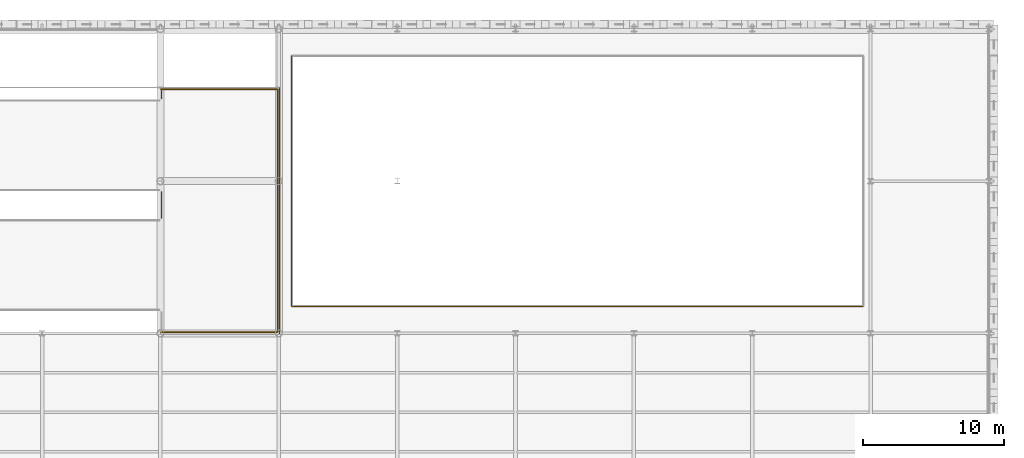
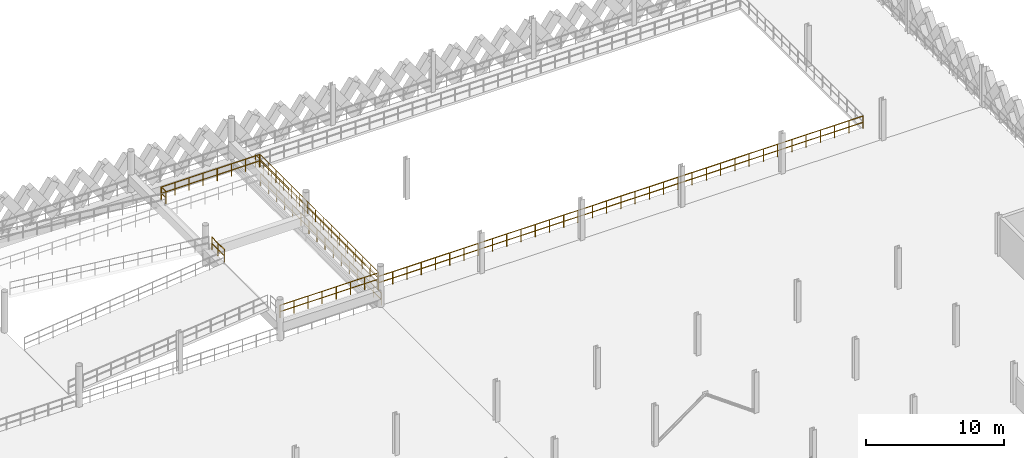
# One storey, part 70 of 74: 8 railings.
"""IFC4 building model written with IfcOpenShell, lengths in metres."""

from ifc_helpers import new_model, si_unit, direction, frame, origin, origin_2d, place, context, subcontext, project, spatial, circle, extrude, material, type_object, element, save


model = new_model("IFC4")

# Units and contexts
model_context = context("Model", 3, precision=1e-05, world=origin(), true_north=direction((0.0, 1.0)))
body_context = subcontext(model_context, "Body", "Model", "MODEL_VIEW")
ifc_project = project(units=[si_unit("LENGTHUNIT", "METRE"), si_unit("AREAUNIT", "SQUARE_METRE"), si_unit("VOLUMEUNIT", "CUBIC_METRE"), si_unit("PLANEANGLEUNIT", "RADIAN"), si_unit("MASSUNIT", "GRAM", prefix="KILO"), si_unit("THERMODYNAMICTEMPERATUREUNIT", "KELVIN"), si_unit("POWERUNIT", "WATT")], contexts=[model_context])

# Site, building, storey
site_placement = place(None, origin())
site = spatial("IfcSite", under=ifc_project, at=site_placement, CompositionType="ELEMENT")
building_placement = place(site_placement, origin())
building = spatial("IfcBuilding", under=site, at=building_placement, Name="Tembeka Court Mobility Hub", CompositionType="ELEMENT")
storey_placement = place(building_placement, frame((0.0, 0.0, 12.60009765625)))
storey = spatial("IfcBuildingStorey", under=building, at=storey_placement, Name="L03", CompositionType="ELEMENT", Elevation=12.60009765625)

# Railings
ifc_material = material(Name="Painted galvanised steel balustrade", Category="steel")
railing_type_1 = type_object("IfcRailingType", Name="RL-GR01", PredefinedType="GUARDRAIL", material=ifc_material)
railing_1_placement = place(storey_placement, frame((42.929931640625, 99.10009765625, 0.0)))
element("IfcRailing", 1, at=railing_1_placement, inside=storey, type_object=railing_type_1, Name="Perimeter guard GR01-0115", PredefinedType="GUARDRAIL", context=body_context, shape_type="SweptSolid", body=[
    extrude(circle(Radius=0.02392578125, at=origin_2d()), frame((0.0, 0.0, 1.09619140625), z_axis=(1.0, 0.0, 0.0), x_axis=(0.0, 1.0, 0.0)), (0.0, 0.0, 1.0), 40.5400390625),
    extrude(circle(Radius=0.02392578125, at=origin_2d()), frame((0.0, 0.0, 0.5361328125), z_axis=(1.0, 0.0, 0.0), x_axis=(0.0, 1.0, 0.0)), (0.0, 0.0, 1.0), 40.5400390625),
    extrude(circle(Radius=0.02099609375, at=origin_2d()), origin(), (0.0, 0.0, 1.0), 1.072021484375),
    extrude(circle(Radius=0.02099609375, at=origin_2d()), frame((1.1923828125, 0.0, 0.0)), (0.0, 0.0, 1.0), 1.072021484375),
    extrude(circle(Radius=0.02099609375, at=origin_2d()), frame((2.384765625, 0.0, 0.0)), (0.0, 0.0, 1.0), 1.072021484375),
    extrude(circle(Radius=0.02099609375, at=origin_2d()), frame((3.5771484375, 0.0, 0.0)), (0.0, 0.0, 1.0), 1.072021484375),
    extrude(circle(Radius=0.02099609375, at=origin_2d()), frame((4.76953125, 0.0, 0.0)), (0.0, 0.0, 1.0), 1.072021484375),
    extrude(circle(Radius=0.02099609375, at=origin_2d()), frame((5.961669921875, 0.0, 0.0)), (0.0, 0.0, 1.0), 1.072021484375),
    extrude(circle(Radius=0.02099609375, at=origin_2d()), frame((7.154052734375, 0.0, 0.0)), (0.0, 0.0, 1.0), 1.072021484375),
    extrude(circle(Radius=0.02099609375, at=origin_2d()), frame((8.346435546875, 0.0, 0.0)), (0.0, 0.0, 1.0), 1.072021484375),
    extrude(circle(Radius=0.02099609375, at=origin_2d()), frame((9.538818359375, 0.0, 0.0)), (0.0, 0.0, 1.0), 1.072021484375),
    extrude(circle(Radius=0.02099609375, at=origin_2d()), frame((10.731201171875, 0.0, 0.0)), (0.0, 0.0, 1.0), 1.072021484375),
    extrude(circle(Radius=0.02099609375, at=origin_2d()), frame((11.923583984375, 0.0, 0.0)), (0.0, 0.0, 1.0), 1.072021484375),
    extrude(circle(Radius=0.02099609375, at=origin_2d()), frame((13.115966796875, 0.0, 0.0)), (0.0, 0.0, 1.0), 1.072021484375),
    extrude(circle(Radius=0.02099609375, at=origin_2d()), frame((14.308349609375, 0.0, 0.0)), (0.0, 0.0, 1.0), 1.072021484375),
    extrude(circle(Radius=0.02099609375, at=origin_2d()), frame((15.50048828125, 0.0, 0.0)), (0.0, 0.0, 1.0), 1.072021484375),
    extrude(circle(Radius=0.02099609375, at=origin_2d()), frame((16.69287109375, 0.0, 0.0)), (0.0, 0.0, 1.0), 1.072021484375),
    extrude(circle(Radius=0.02099609375, at=origin_2d()), frame((17.88525390625, 0.0, 0.0)), (0.0, 0.0, 1.0), 1.072021484375),
    extrude(circle(Radius=0.02099609375, at=origin_2d()), frame((19.07763671875, 0.0, 0.0)), (0.0, 0.0, 1.0), 1.072021484375),
    extrude(circle(Radius=0.02099609375, at=origin_2d()), frame((20.27001953125, 0.0, 0.0)), (0.0, 0.0, 1.0), 1.072021484375),
    extrude(circle(Radius=0.02099609375, at=origin_2d()), frame((21.46240234375, 0.0, 0.0)), (0.0, 0.0, 1.0), 1.072021484375),
    extrude(circle(Radius=0.02099609375, at=origin_2d()), frame((22.65478515625, 0.0, 0.0)), (0.0, 0.0, 1.0), 1.072021484375),
    extrude(circle(Radius=0.02099609375, at=origin_2d()), frame((23.84716796875, 0.0, 0.0)), (0.0, 0.0, 1.0), 1.072021484375),
    extrude(circle(Radius=0.02099609375, at=origin_2d()), frame((25.03955078125, 0.0, 0.0)), (0.0, 0.0, 1.0), 1.072021484375),
    extrude(circle(Radius=0.02099609375, at=origin_2d()), frame((26.231689453125, 0.0, 0.0)), (0.0, 0.0, 1.0), 1.072021484375),
    extrude(circle(Radius=0.02099609375, at=origin_2d()), frame((27.424072265625, 0.0, 0.0)), (0.0, 0.0, 1.0), 1.072021484375),
    extrude(circle(Radius=0.02099609375, at=origin_2d()), frame((28.616455078125, 0.0, 0.0)), (0.0, 0.0, 1.0), 1.072021484375),
    extrude(circle(Radius=0.02099609375, at=origin_2d()), frame((29.808837890625, 0.0, 0.0)), (0.0, 0.0, 1.0), 1.072021484375),
    extrude(circle(Radius=0.02099609375, at=origin_2d()), frame((31.001220703125, 0.0, 0.0)), (0.0, 0.0, 1.0), 1.072021484375),
    extrude(circle(Radius=0.02099609375, at=origin_2d()), frame((32.193603515625, 0.0, 0.0)), (0.0, 0.0, 1.0), 1.072021484375),
    extrude(circle(Radius=0.02099609375, at=origin_2d()), frame((33.385986328125, 0.0, 0.0)), (0.0, 0.0, 1.0), 1.072021484375),
    extrude(circle(Radius=0.02099609375, at=origin_2d()), frame((34.578369140625, 0.0, 0.0)), (0.0, 0.0, 1.0), 1.072021484375),
    extrude(circle(Radius=0.02099609375, at=origin_2d()), frame((35.7705078125, 0.0, 0.0)), (0.0, 0.0, 1.0), 1.072021484375),
    extrude(circle(Radius=0.02099609375, at=origin_2d()), frame((36.962890625, 0.0, 0.0)), (0.0, 0.0, 1.0), 1.072021484375),
    extrude(circle(Radius=0.02099609375, at=origin_2d()), frame((38.1552734375, 0.0, 0.0)), (0.0, 0.0, 1.0), 1.072021484375),
    extrude(circle(Radius=0.02099609375, at=origin_2d()), frame((39.34765625, 0.0, 0.0)), (0.0, 0.0, 1.0), 1.072021484375),
    extrude(circle(Radius=0.02099609375, at=origin_2d()), frame((40.5400390625, 0.0, 0.0)), (0.0, 0.0, 1.0), 1.072021484375),
])
railing_2_placement = place(storey_placement, frame((42.89990234375, 116.8701171875, 0.0)))
element("IfcRailing", 2, at=railing_2_placement, inside=storey, type_object=railing_type_1, Name="Perimeter guard GR01-0118", PredefinedType="GUARDRAIL", context=body_context, shape_type="SweptSolid", body=[
    extrude(circle(Radius=0.02392578125, at=origin_2d()), frame((0.0, 0.0, 1.09619140625), z_axis=(0.0, -1.0, 0.0), x_axis=(1.0, 0.0, 0.0)), (0.0, 0.0, 1.0), 17.740234375),
    extrude(circle(Radius=0.02392578125, at=origin_2d()), frame((0.0, 0.0, 0.5361328125), z_axis=(0.0, -1.0, 0.0), x_axis=(1.0, 0.0, 0.0)), (0.0, 0.0, 1.0), 17.740234375),
    extrude(circle(Radius=0.02099609375, at=origin_2d()), origin(), (0.0, 0.0, 1.0), 1.072021484375),
    extrude(circle(Radius=0.02099609375, at=origin_2d()), frame((0.0, -1.1826171875, 0.0)), (0.0, 0.0, 1.0), 1.072021484375),
    extrude(circle(Radius=0.02099609375, at=origin_2d()), frame((0.0, -2.365478515625, 0.0)), (0.0, 0.0, 1.0), 1.072021484375),
    extrude(circle(Radius=0.02099609375, at=origin_2d()), frame((0.0, -3.548095703125, 0.0)), (0.0, 0.0, 1.0), 1.072021484375),
    extrude(circle(Radius=0.02099609375, at=origin_2d()), frame((0.0, -4.730712890625, 0.0)), (0.0, 0.0, 1.0), 1.072021484375),
    extrude(circle(Radius=0.02099609375, at=origin_2d()), frame((0.0, -5.913330078125, 0.0)), (0.0, 0.0, 1.0), 1.072021484375),
    extrude(circle(Radius=0.02099609375, at=origin_2d()), frame((0.0, -7.09619140625, 0.0)), (0.0, 0.0, 1.0), 1.072021484375),
    extrude(circle(Radius=0.02099609375, at=origin_2d()), frame((0.0, -8.27880859375, 0.0)), (0.0, 0.0, 1.0), 1.072021484375),
    extrude(circle(Radius=0.02099609375, at=origin_2d()), frame((0.0, -9.46142578125, 0.0)), (0.0, 0.0, 1.0), 1.072021484375),
    extrude(circle(Radius=0.02099609375, at=origin_2d()), frame((0.0, -10.64404296875, 0.0)), (0.0, 0.0, 1.0), 1.072021484375),
    extrude(circle(Radius=0.02099609375, at=origin_2d()), frame((0.0, -11.826904296875, 0.0)), (0.0, 0.0, 1.0), 1.072021484375),
    extrude(circle(Radius=0.02099609375, at=origin_2d()), frame((0.0, -13.009521484375, 0.0)), (0.0, 0.0, 1.0), 1.072021484375),
    extrude(circle(Radius=0.02099609375, at=origin_2d()), frame((0.0, -14.192138671875, 0.0)), (0.0, 0.0, 1.0), 1.072021484375),
    extrude(circle(Radius=0.02099609375, at=origin_2d()), frame((0.0, -15.374755859375, 0.0)), (0.0, 0.0, 1.0), 1.072021484375),
    extrude(circle(Radius=0.02099609375, at=origin_2d()), frame((0.0, -16.5576171875, 0.0)), (0.0, 0.0, 1.0), 1.072021484375),
    extrude(circle(Radius=0.02099609375, at=origin_2d()), frame((0.0, -17.740234375, 0.0)), (0.0, 0.0, 1.0), 1.072021484375),
])
railing_type_2 = type_object("IfcRailingType", Name="RL-GR02", PredefinedType="GUARDRAIL", material=ifc_material)
railing_3_placement = place(storey_placement, frame((42.050048828125, 97.179931640625, 0.0)))
element("IfcRailing", 3, at=railing_3_placement, inside=storey, type_object=railing_type_2, Name="Perimeter guard GR02-0195", PredefinedType="GUARDRAIL", context=body_context, shape_type="SweptSolid", body=[
    extrude(circle(Radius=0.02392578125, at=origin_2d()), frame((0.0, 0.0, 1.09619140625), z_axis=(0.0, 1.0, 0.0), x_axis=(-1.0, 0.0, 0.0)), (0.0, 0.0, 1.0), 17.440185546875),
    extrude(circle(Radius=0.02392578125, at=origin_2d()), frame((0.0, 0.0, 0.5361328125), z_axis=(0.0, 1.0, 0.0), x_axis=(-1.0, 0.0, 0.0)), (0.0, 0.0, 1.0), 17.440185546875),
    extrude(circle(Radius=0.02099609375, at=origin_2d()), origin(), (0.0, 0.0, 1.0), 1.072021484375),
    extrude(circle(Radius=0.02099609375, at=origin_2d()), frame((0.0, 1.16259765625, 0.0)), (0.0, 0.0, 1.0), 1.072021484375),
    extrude(circle(Radius=0.02099609375, at=origin_2d()), frame((0.0, 2.325439453125, 0.0)), (0.0, 0.0, 1.0), 1.072021484375),
    extrude(circle(Radius=0.02099609375, at=origin_2d()), frame((0.0, 3.488037109375, 0.0)), (0.0, 0.0, 1.0), 1.072021484375),
    extrude(circle(Radius=0.02099609375, at=origin_2d()), frame((0.0, 4.650634765625, 0.0)), (0.0, 0.0, 1.0), 1.072021484375),
    extrude(circle(Radius=0.02099609375, at=origin_2d()), frame((0.0, 5.8134765625, 0.0)), (0.0, 0.0, 1.0), 1.072021484375),
    extrude(circle(Radius=0.02099609375, at=origin_2d()), frame((0.0, 6.97607421875, 0.0)), (0.0, 0.0, 1.0), 1.072021484375),
    extrude(circle(Radius=0.02099609375, at=origin_2d()), frame((0.0, 8.138671875, 0.0)), (0.0, 0.0, 1.0), 1.072021484375),
    extrude(circle(Radius=0.02099609375, at=origin_2d()), frame((0.0, 9.301513671875, 0.0)), (0.0, 0.0, 1.0), 1.072021484375),
    extrude(circle(Radius=0.02099609375, at=origin_2d()), frame((0.0, 10.464111328125, 0.0)), (0.0, 0.0, 1.0), 1.072021484375),
    extrude(circle(Radius=0.02099609375, at=origin_2d()), frame((0.0, 11.626708984375, 0.0)), (0.0, 0.0, 1.0), 1.072021484375),
    extrude(circle(Radius=0.02099609375, at=origin_2d()), frame((0.0, 12.78955078125, 0.0)), (0.0, 0.0, 1.0), 1.072021484375),
    extrude(circle(Radius=0.02099609375, at=origin_2d()), frame((0.0, 13.9521484375, 0.0)), (0.0, 0.0, 1.0), 1.072021484375),
    extrude(circle(Radius=0.02099609375, at=origin_2d()), frame((0.0, 15.11474609375, 0.0)), (0.0, 0.0, 1.0), 1.072021484375),
    extrude(circle(Radius=0.02099609375, at=origin_2d()), frame((0.0, 16.277587890625, 0.0)), (0.0, 0.0, 1.0), 1.072021484375),
    extrude(circle(Radius=0.02099609375, at=origin_2d()), frame((0.0, 17.440185546875, 0.0)), (0.0, 0.0, 1.0), 1.072021484375),
])
railing_4_placement = place(storey_placement, frame((33.6298828125, 97.280029296875, 1.7998046875)))
element("IfcRailing", 4, at=railing_4_placement, inside=storey, type_object=railing_type_2, Name="Perimeter guard GR02-0246", PredefinedType="GUARDRAIL", context=body_context, shape_type="SweptSolid", body=[
    extrude(circle(Radius=0.02392578125, at=origin_2d()), frame((0.0, 0.0, 1.09619140625), z_axis=(1.0, 0.0, 0.0), x_axis=(0.0, 1.0, 0.0)), (0.0, 0.0, 1.0), 8.260009765625),
    extrude(circle(Radius=0.02392578125, at=origin_2d()), frame((0.0, 0.0, 0.5361328125), z_axis=(1.0, 0.0, 0.0), x_axis=(0.0, 1.0, 0.0)), (0.0, 0.0, 1.0), 8.260009765625),
    extrude(circle(Radius=0.02099609375, at=origin_2d()), origin(), (0.0, 0.0, 1.0), 1.072021484375),
    extrude(circle(Radius=0.02099609375, at=origin_2d()), frame((1.179931640625, 0.0, 0.0)), (0.0, 0.0, 1.0), 1.072021484375),
    extrude(circle(Radius=0.02099609375, at=origin_2d()), frame((2.360107421875, 0.0, 0.0)), (0.0, 0.0, 1.0), 1.072021484375),
    extrude(circle(Radius=0.02099609375, at=origin_2d()), frame((3.5400390625, 0.0, 0.0)), (0.0, 0.0, 1.0), 1.072021484375),
    extrude(circle(Radius=0.02099609375, at=origin_2d()), frame((4.719970703125, 0.0, 0.0)), (0.0, 0.0, 1.0), 1.072021484375),
    extrude(circle(Radius=0.02099609375, at=origin_2d()), frame((5.89990234375, 0.0, 0.0)), (0.0, 0.0, 1.0), 1.072021484375),
    extrude(circle(Radius=0.02099609375, at=origin_2d()), frame((7.080078125, 0.0, 0.0)), (0.0, 0.0, 1.0), 1.072021484375),
    extrude(circle(Radius=0.02099609375, at=origin_2d()), frame((8.260009765625, 0.0, 0.0)), (0.0, 0.0, 1.0), 1.072021484375),
])
railing_5_placement = place(storey_placement, frame((41.919921875, 97.31005859375, 1.7998046875)))
element("IfcRailing", 5, at=railing_5_placement, inside=storey, type_object=railing_type_2, Name="Perimeter guard GR02-0247", PredefinedType="GUARDRAIL", context=body_context, shape_type="SweptSolid", body=[
    extrude(circle(Radius=0.02392578125, at=origin_2d()), frame((0.0, 0.0, 1.09619140625), z_axis=(0.0, 1.0, 0.0), x_axis=(-1.0, 0.0, 0.0)), (0.0, 0.0, 1.0), 17.179931640625),
    extrude(circle(Radius=0.02392578125, at=origin_2d()), frame((0.0, 0.0, 0.5361328125), z_axis=(0.0, 1.0, 0.0), x_axis=(-1.0, 0.0, 0.0)), (0.0, 0.0, 1.0), 17.179931640625),
    extrude(circle(Radius=0.02099609375, at=origin_2d()), origin(), (0.0, 0.0, 1.0), 1.072021484375),
    extrude(circle(Radius=0.02099609375, at=origin_2d()), frame((0.0, 1.145263671875, 0.0)), (0.0, 0.0, 1.0), 1.072021484375),
    extrude(circle(Radius=0.02099609375, at=origin_2d()), frame((0.0, 2.290771484375, 0.0)), (0.0, 0.0, 1.0), 1.072021484375),
    extrude(circle(Radius=0.02099609375, at=origin_2d()), frame((0.0, 3.43603515625, 0.0)), (0.0, 0.0, 1.0), 1.072021484375),
    extrude(circle(Radius=0.02099609375, at=origin_2d()), frame((0.0, 4.581298828125, 0.0)), (0.0, 0.0, 1.0), 1.072021484375),
    extrude(circle(Radius=0.02099609375, at=origin_2d()), frame((0.0, 5.7265625, 0.0)), (0.0, 0.0, 1.0), 1.072021484375),
    extrude(circle(Radius=0.02099609375, at=origin_2d()), frame((0.0, 6.8720703125, 0.0)), (0.0, 0.0, 1.0), 1.072021484375),
    extrude(circle(Radius=0.02099609375, at=origin_2d()), frame((0.0, 8.017333984375, 0.0)), (0.0, 0.0, 1.0), 1.072021484375),
    extrude(circle(Radius=0.02099609375, at=origin_2d()), frame((0.0, 9.16259765625, 0.0)), (0.0, 0.0, 1.0), 1.072021484375),
    extrude(circle(Radius=0.02099609375, at=origin_2d()), frame((0.0, 10.307861328125, 0.0)), (0.0, 0.0, 1.0), 1.072021484375),
    extrude(circle(Radius=0.02099609375, at=origin_2d()), frame((0.0, 11.453369140625, 0.0)), (0.0, 0.0, 1.0), 1.072021484375),
    extrude(circle(Radius=0.02099609375, at=origin_2d()), frame((0.0, 12.5986328125, 0.0)), (0.0, 0.0, 1.0), 1.072021484375),
    extrude(circle(Radius=0.02099609375, at=origin_2d()), frame((0.0, 13.743896484375, 0.0)), (0.0, 0.0, 1.0), 1.072021484375),
    extrude(circle(Radius=0.02099609375, at=origin_2d()), frame((0.0, 14.88916015625, 0.0)), (0.0, 0.0, 1.0), 1.072021484375),
    extrude(circle(Radius=0.02099609375, at=origin_2d()), frame((0.0, 16.03466796875, 0.0)), (0.0, 0.0, 1.0), 1.072021484375),
    extrude(circle(Radius=0.02099609375, at=origin_2d()), frame((0.0, 17.179931640625, 0.0)), (0.0, 0.0, 1.0), 1.072021484375),
])
railing_6_placement = place(storey_placement, frame((41.889892578125, 114.52001953125, 1.7998046875)))
element("IfcRailing", 6, at=railing_6_placement, inside=storey, type_object=railing_type_2, Name="Perimeter guard GR02-0248", PredefinedType="GUARDRAIL", context=body_context, shape_type="SweptSolid", body=[
    extrude(circle(Radius=0.02392578125, at=origin_2d()), frame((0.0, 0.0, 1.09619140625), z_axis=(-1.0, 0.0, 0.0), x_axis=(0.0, -1.0, 0.0)), (0.0, 0.0, 1.0), 8.260009765625),
    extrude(circle(Radius=0.02392578125, at=origin_2d()), frame((0.0, 0.0, 0.5361328125), z_axis=(-1.0, 0.0, 0.0), x_axis=(0.0, -1.0, 0.0)), (0.0, 0.0, 1.0), 8.260009765625),
    extrude(circle(Radius=0.02099609375, at=origin_2d()), origin(), (0.0, 0.0, 1.0), 1.072021484375),
    extrude(circle(Radius=0.02099609375, at=origin_2d()), frame((-1.179931640625, 0.0, 0.0)), (0.0, 0.0, 1.0), 1.072021484375),
    extrude(circle(Radius=0.02099609375, at=origin_2d()), frame((-2.360107421875, 0.0, 0.0)), (0.0, 0.0, 1.0), 1.072021484375),
    extrude(circle(Radius=0.02099609375, at=origin_2d()), frame((-3.5400390625, 0.0, 0.0)), (0.0, 0.0, 1.0), 1.072021484375),
    extrude(circle(Radius=0.02099609375, at=origin_2d()), frame((-4.719970703125, 0.0, 0.0)), (0.0, 0.0, 1.0), 1.072021484375),
    extrude(circle(Radius=0.02099609375, at=origin_2d()), frame((-5.89990234375, 0.0, 0.0)), (0.0, 0.0, 1.0), 1.072021484375),
    extrude(circle(Radius=0.02099609375, at=origin_2d()), frame((-7.080078125, 0.0, 0.0)), (0.0, 0.0, 1.0), 1.072021484375),
    extrude(circle(Radius=0.02099609375, at=origin_2d()), frame((-8.260009765625, 0.0, 0.0)), (0.0, 0.0, 1.0), 1.072021484375),
])
railing_7_placement = place(storey_placement, frame((33.679931640625, 105.3798828125, 1.7998046875)))
element("IfcRailing", 7, at=railing_7_placement, inside=storey, type_object=railing_type_2, Name="Perimeter guard GR02-0250", PredefinedType="GUARDRAIL", context=body_context, shape_type="SweptSolid", body=[
    extrude(circle(Radius=0.02392578125, at=origin_2d()), frame((0.0, 0.0, 1.09619140625), z_axis=(0.0, 1.0, 0.0), x_axis=(-1.0, 0.0, 0.0)), (0.0, 0.0, 1.0), 1.840087890625),
    extrude(circle(Radius=0.02392578125, at=origin_2d()), frame((0.0, 0.0, 0.5361328125), z_axis=(0.0, 1.0, 0.0), x_axis=(-1.0, 0.0, 0.0)), (0.0, 0.0, 1.0), 1.840087890625),
    extrude(circle(Radius=0.02099609375, at=origin_2d()), origin(), (0.0, 0.0, 1.0), 1.072021484375),
    extrude(circle(Radius=0.02099609375, at=origin_2d()), frame((0.0, 0.919921875, 0.0)), (0.0, 0.0, 1.0), 1.072021484375),
    extrude(circle(Radius=0.02099609375, at=origin_2d()), frame((0.0, 1.840087890625, 0.0)), (0.0, 0.0, 1.0), 1.072021484375),
])
railing_8_placement = place(storey_placement, frame((33.679931640625, 113.8798828125, 1.7998046875)))
element("IfcRailing", 8, at=railing_8_placement, inside=storey, type_object=railing_type_2, Name="Perimeter guard GR02-0251", PredefinedType="GUARDRAIL", context=body_context, shape_type="SweptSolid", body=[
    extrude(circle(Radius=0.02392578125, at=origin_2d()), frame((0.0, 0.0, 1.09619140625), z_axis=(0.0, 1.0, 0.0), x_axis=(-1.0, 0.0, 0.0)), (0.0, 0.0, 1.0), 0.610107421875),
    extrude(circle(Radius=0.02392578125, at=origin_2d()), frame((0.0, 0.0, 0.5361328125), z_axis=(0.0, 1.0, 0.0), x_axis=(-1.0, 0.0, 0.0)), (0.0, 0.0, 1.0), 0.610107421875),
    extrude(circle(Radius=0.02099609375, at=origin_2d()), origin(), (0.0, 0.0, 1.0), 1.072021484375),
    extrude(circle(Radius=0.02099609375, at=origin_2d()), frame((0.0, 0.610107421875, 0.0)), (0.0, 0.0, 1.0), 1.072021484375),
])

save(model, "model.ifc")
